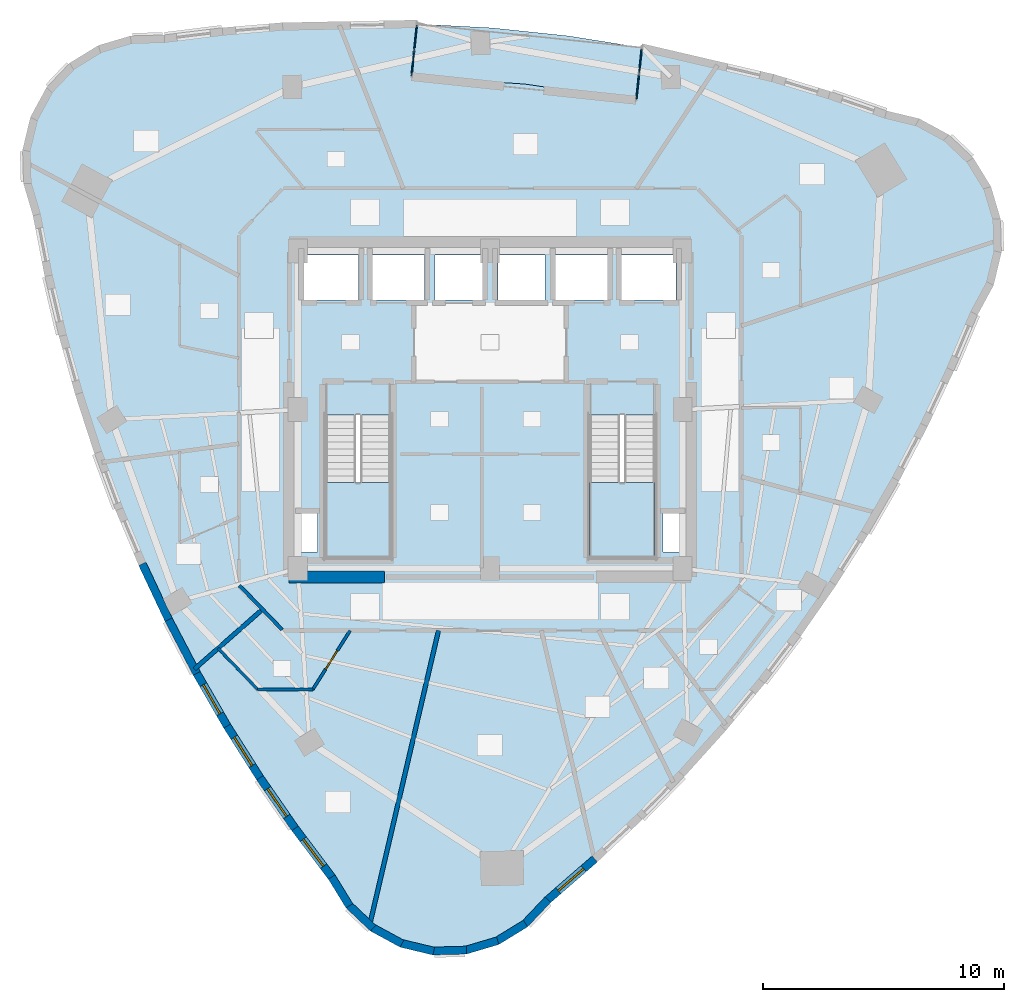
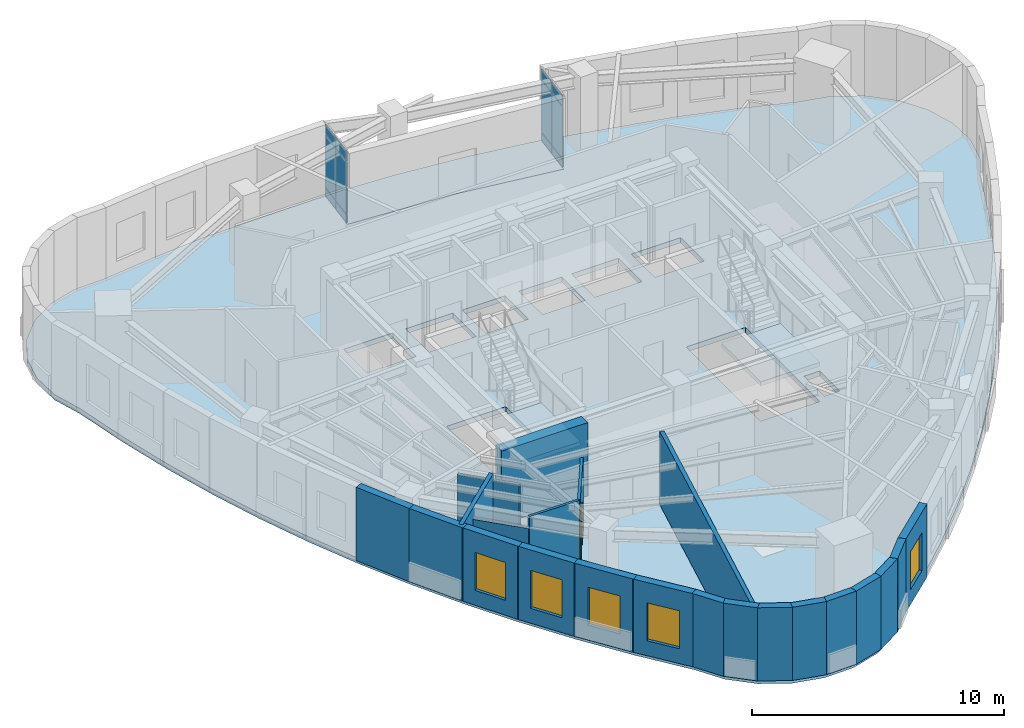
# One storey, part 4 of 11: 22 walls, 12 plates, 5 windows, 4 slabs, 1 door, 6 openings, 4 elements without a shape of their own.
"""IFC4 building model written with IfcOpenShell, lengths in metres."""

import ifcopenshell
import ifcopenshell.guid

model = None  # the IFC model being written
_history = None  # IfcOwnerHistory: only IFC2X3 demands one
_inside = {}  # id of a spatial element -> (the spatial element, [elements in it])
_under = {}  # id of a project, library or spatial element -> (it, [spatial elements below it])
_declared = {}  # id of a project -> (the project, [libraries it declares])
_typed = {}  # id of a type object -> (the type object, [elements of that type])
_made_of = {}  # id of a material, layer set ... -> (it, [elements and type objects made of it])


def new_model(schema):
    """Start an empty IFC model of exactly this schema.

    Asked for "IFC4X3", IfcOpenShell would pick the latest addendum, in which some entities
    have other attributes; the version numbers below select the first issue.
    IFC2X3 requires an IfcOwnerHistory on every rooted entity: one is made here for all.
    """
    global model, _history
    if schema == "IFC4X3":
        model = ifcopenshell.file(schema_version=(4, 3, 0, 0))
    else:
        model = ifcopenshell.file(schema=schema)
    _inside.clear()
    _under.clear()
    _declared.clear()
    _typed.clear()
    _made_of.clear()
    _history = None
    if model.schema == "IFC2X3":
        org = make("IfcOrganization", Name="unknown")
        user = make(
            "IfcPersonAndOrganization",
            ThePerson=make("IfcPerson", FamilyName="unknown"),
            TheOrganization=org,
        )
        app = make(
            "IfcApplication",
            ApplicationDeveloper=org,
            Version="unknown",
            ApplicationFullName="unknown",
            ApplicationIdentifier="unknown",
        )
        _history = make(
            "IfcOwnerHistory",
            OwningUser=user,
            OwningApplication=app,
            ChangeAction="ADDED",
            CreationDate=0,
        )
    return model


def make(cls, **values):
    """One entity of the class cls with the attributes given. An attribute that is None is left unset."""
    return model.create_entity(
        cls, **{name: value for name, value in values.items() if value is not None}
    )


def rooted(cls, **values):
    """An entity with a GlobalId (a new one), such as an element, a storey or a relation."""
    return make(cls, GlobalId=ifcopenshell.guid.new(), OwnerHistory=_history, **values)


def si_unit(unit_type, name, prefix=None):
    """IfcSIUnit, for example si_unit("LENGTHUNIT", "METRE", prefix="MILLI")."""
    return make("IfcSIUnit", UnitType=unit_type, Prefix=prefix, Name=name)


def assignment(units):
    """IfcUnitAssignment: the units of a project."""
    return None if units is None else make("IfcUnitAssignment", Units=units)


def point(xyz):
    """IfcCartesianPoint."""
    return None if xyz is None else make("IfcCartesianPoint", Coordinates=xyz)


def direction(xyz):
    """IfcDirection."""
    return None if xyz is None else make("IfcDirection", DirectionRatios=xyz)


def frame(location, z_axis=None, x_axis=None):
    """IfcAxis2Placement3D, a coordinate frame: its origin and axes. An axis left out is left unset."""
    return make(
        "IfcAxis2Placement3D",
        Location=point(location),
        Axis=direction(z_axis),
        RefDirection=direction(x_axis),
    )


def frame_2d(location, x_axis=None):
    """IfcAxis2Placement2D, a coordinate frame in the plane: its origin and x axis."""
    return make(
        "IfcAxis2Placement2D", Location=point(location), RefDirection=direction(x_axis)
    )


def origin():
    """The frame at (0, 0, 0) with its axes left unset."""
    return frame((0.0, 0.0, 0.0))


def origin_2d():
    """The frame at (0, 0) in the plane with its x axis left unset."""
    return frame_2d((0.0, 0.0))


def place(relative_to, where):
    """IfcLocalPlacement: puts the frame where relative to a parent placement (None: the world)."""
    return make(
        "IfcLocalPlacement", PlacementRelTo=relative_to, RelativePlacement=where
    )


def context(
    kind, dimensions, precision=None, world=None, true_north=None, identifier=None
):
    """IfcGeometricRepresentationContext, for example the 3D "Model" context."""
    return make(
        "IfcGeometricRepresentationContext",
        ContextIdentifier=identifier,
        ContextType=kind,
        CoordinateSpaceDimension=dimensions,
        Precision=precision,
        WorldCoordinateSystem=world,
        TrueNorth=true_north,
    )


def subcontext(parent, identifier, kind, view, scale=None):
    """IfcGeometricRepresentationSubContext, for example "Body" below "Model"."""
    return make(
        "IfcGeometricRepresentationSubContext",
        ContextIdentifier=identifier,
        ContextType=kind,
        ParentContext=parent,
        TargetScale=scale,
        TargetView=view,
    )


def project(units=None, contexts=None):
    """IfcProject with its units and contexts."""
    return rooted(
        "IfcProject",
        Name="project",
        RepresentationContexts=contexts,
        UnitsInContext=assignment(units),
    )


def spatial(cls, under=None, at=None, **own):
    """A site, building, storey or space (cls), placed at a placement, below another one or the project."""
    s = rooted(cls, ObjectPlacement=at, **own)
    if under is not None:
        _under.setdefault(under.id(), (under, []))[1].append(s)
    return s


def polyline(points):
    """IfcPolyline through the points."""
    return make("IfcPolyline", Points=[point(p) for p in points])


def profile(cls, at=None, kind="AREA", **sizes):
    """A parametric profile (cls). Its sizes go by their IFC names, for example OverallWidth=200.0."""
    return make(cls, ProfileType=kind, Position=at, **sizes)


def rectangle(**sizes):
    """IfcRectangleProfileDef."""
    return profile("IfcRectangleProfileDef", **sizes)


def outline(outer, holes=None, kind="AREA"):
    """IfcArbitraryClosedProfileDef: a profile drawn as a closed curve; with holes, ...WithVoids."""
    if holes is None:
        return make("IfcArbitraryClosedProfileDef", ProfileType=kind, OuterCurve=outer)
    return make(
        "IfcArbitraryProfileDefWithVoids",
        ProfileType=kind,
        OuterCurve=outer,
        InnerCurves=holes,
    )


def extrude(swept, where, along, depth):
    """IfcExtrudedAreaSolid: the profile swept, set in the frame where, extruded along a direction by depth."""
    return make(
        "IfcExtrudedAreaSolid",
        SweptArea=swept,
        Position=where,
        ExtrudedDirection=direction(along),
        Depth=depth,
    )


def shape(context_of_items, identifier, shape_type, items):
    """IfcShapeRepresentation: the items that make up one representation, for example the "Body"."""
    return make(
        "IfcShapeRepresentation",
        ContextOfItems=context_of_items,
        RepresentationIdentifier=identifier,
        RepresentationType=shape_type,
        Items=items,
    )


def material(Name=None, Category=None):
    """IfcMaterial."""
    return make("IfcMaterial", Name=Name, Category=Category)


def layer(
    of_material, thickness, ventilated=None, Name=None, Category=None, Priority=None
):
    """IfcMaterialLayer: one layer of a wall or slab, of a material (None: an air gap)."""
    return make(
        "IfcMaterialLayer",
        Material=of_material,
        LayerThickness=thickness,
        IsVentilated=ventilated,
        Name=Name,
        Category=Category,
        Priority=Priority,
    )


def layer_set(layers, Name=None):
    """IfcMaterialLayerSet."""
    return make("IfcMaterialLayerSet", MaterialLayers=layers, LayerSetName=Name)


def made_of(thing, what):
    """Note that an element or type object is made of a material, layer set ...; save() writes the relation."""
    if what is not None:
        _made_of.setdefault(what.id(), (what, []))[1].append(thing)
    return thing


def type_object(cls, material=None, **own):
    """A type object (cls), such as IfcWallType, which elements share."""
    return made_of(rooted(cls, **own), material)


def element(
    cls,
    number,
    at=None,
    inside=None,
    cuts=None,
    type_object=None,
    material=None,
    context=None,
    identifier="Body",
    shape_type=None,
    held_by="IfcProductDefinitionShape",
    body=None,
    shapes=None,
    **own,
):
    """One element of the class cls, such as IfcWall. Its Tag is "e" and its number.

    at: its placement. inside: the storey or other place that contains it. cuts: it is an
    opening in that element (IfcRelVoidsElement). A single representation is given by context,
    identifier, shape_type and body (its items); several are given by shapes. held_by: the class
    of the entity that holds the representations. save() writes the other relations.
    """
    e = rooted(cls, Tag="e%d" % number, ObjectPlacement=at, **own)
    if body is not None:
        shapes = [shape(context, identifier, shape_type, body)]
    if shapes is not None:
        e.Representation = make(held_by, Representations=shapes)
    if inside is not None:
        _inside.setdefault(inside.id(), (inside, []))[1].append(e)
    if cuts is not None:
        rooted(
            "IfcRelVoidsElement", RelatingBuildingElement=cuts, RelatedOpeningElement=e
        )
    if type_object is not None:
        _typed.setdefault(type_object.id(), (type_object, []))[1].append(e)
    return made_of(e, material)


def fill(opening, filler):
    """IfcRelFillsElement: the door or window that sits in an opening."""
    return rooted(
        "IfcRelFillsElement",
        RelatingOpeningElement=opening,
        RelatedBuildingElement=filler,
    )


def aggregate(whole, parts):
    """IfcRelAggregates: a whole, such as a stair, and the parts it consists of."""
    return rooted("IfcRelAggregates", RelatingObject=whole, RelatedObjects=parts)


def save(model, path):
    """Write the relations noted so far, then the file.

    IfcRelAggregates (storeys below a building ...), IfcRelContainedInSpatialStructure (elements
    in a storey), IfcRelDefinesByType, IfcRelAssociatesMaterial and IfcRelDeclares: one each for
    every whole, place, type object, material and project.
    """
    for whole, parts in _under.values():
        aggregate(whole, parts)
    for where, things in _inside.values():
        rooted(
            "IfcRelContainedInSpatialStructure",
            RelatedElements=things,
            RelatingStructure=where,
        )
    for kind, things in _typed.values():
        rooted("IfcRelDefinesByType", RelatedObjects=things, RelatingType=kind)
    for what, things in _made_of.values():
        rooted("IfcRelAssociatesMaterial", RelatedObjects=things, RelatingMaterial=what)
    for by, libraries in _declared.values():
        rooted("IfcRelDeclares", RelatingContext=by, RelatedDefinitions=libraries)
    model.write(path)


model = new_model("IFC4")

# Units and contexts
model_context = context("Model", 3, precision=1e-05, world=origin(), true_north=direction((0.0, 1.0)))
body_context = subcontext(model_context, "Body", "Model", "MODEL_VIEW")
ifc_project = project(units=[si_unit("LENGTHUNIT", "METRE"), si_unit("AREAUNIT", "SQUARE_METRE"), si_unit("VOLUMEUNIT", "CUBIC_METRE"), si_unit("PLANEANGLEUNIT", "RADIAN"), si_unit("MASSUNIT", "GRAM", prefix="KILO")], contexts=[model_context])

# Site, building, storey
site_placement = place(None, origin())
site = spatial("IfcSite", under=ifc_project, at=site_placement, CompositionType="ELEMENT")
building_placement = place(site_placement, origin())
building = spatial("IfcBuilding", under=site, at=building_placement, Name="Ndelora Gate Hotel", CompositionType="ELEMENT")
storey_placement = place(building_placement, frame((0.0, 0.0, 186.550048828125)))
storey = spatial("IfcBuildingStorey", under=building, at=storey_placement, Name="L46", CompositionType="ELEMENT", Elevation=186.550048828125)

# Curtain wall, plates
ifc_material_1 = material(Name="Bronze Anodised Unitised Aluminium and Low-E Glass", Category="aluminium")
ifc_layer_1 = layer(ifc_material_1, 0.199951171875)
ifc_layer_set_1 = layer_set([ifc_layer_1], Name="Bronze Anodised Unitised Aluminium and Low-E Glass")
curtain_wall_type = type_object("IfcCurtainWallType", Name="CW-SYS-3", PredefinedType="NOTDEFINED", material=ifc_layer_set_1)
curtain_wall_1_placement = place(storey_placement, origin())
curtain_wall_1 = element("IfcCurtainWall", 1, at=curtain_wall_1_placement, inside=storey, type_object=curtain_wall_type, Name="L46 Sky-Garden Loggia Side Curtain Wall CW3-1", PredefinedType="NOTDEFINED")
ifc_material_2 = material(Name="Solar-Control Low-E Insulated Glazing", Category="glass")
ifc_layer_2 = layer(ifc_material_2, 0.048095703125)
ifc_layer_set_2 = layer_set([ifc_layer_2], Name="Solar-Control Low-E Insulated Glazing")
plate_type = type_object("IfcPlateType", Name="PL-CW-GLZ36", PredefinedType="CURTAIN_PANEL", material=ifc_layer_set_2)
plate_1_placement = place(storey_placement, frame((6.13720703125, 13.42822265625, 0.05908203125), z_axis=(0.0, 0.0, 1.0), x_axis=(0.104497862459, 0.994525111167, 0.0)))
plate_1 = element("IfcPlate", 2, at=plate_1_placement, type_object=plate_type, Name="CW3 panel 1.1", PredefinedType="CURTAIN_PANEL", context=body_context, shape_type="SweptSolid", body=[
    extrude(rectangle(XDim=1.014404296875, YDim=0.048095703125, at=origin_2d()), origin(), (0.0, 0.0, 1.0), 0.364501953125),
])
plate_2_placement = place(storey_placement, frame((6.13720703125, 13.42822265625, 0.476318359375), z_axis=(0.0, 0.0, 1.0), x_axis=(0.104497862459, 0.994525111167, 0.0)))
plate_2 = element("IfcPlate", 3, at=plate_2_placement, type_object=plate_type, Name="CW3 panel 1.2", PredefinedType="CURTAIN_PANEL", context=body_context, shape_type="SweptSolid", body=[
    extrude(rectangle(XDim=1.014404296875, YDim=0.048095703125, at=origin_2d()), origin(), (0.0, 0.0, 1.0), 2.4970703125),
])
plate_3_placement = place(storey_placement, frame((6.13720703125, 13.42822265625, 3.0263671875), z_axis=(0.0, 0.0, 1.0), x_axis=(0.104497862459, 0.994525111167, 0.0)))
plate_3 = element("IfcPlate", 4, at=plate_3_placement, type_object=plate_type, Name="CW3 panel 1.3", PredefinedType="CURTAIN_PANEL", context=body_context, shape_type="SweptSolid", body=[
    extrude(rectangle(XDim=1.014404296875, YDim=0.048095703125, at=origin_2d()), origin(), (0.0, 0.0, 1.0), 0.464599609375),
])
plate_4_placement = place(storey_placement, frame((6.248779296875, 14.48974609375, 0.05908203125), z_axis=(0.0, 0.0, 1.0), x_axis=(0.104497862459, 0.994525111167, 0.0)))
plate_4 = element("IfcPlate", 5, at=plate_4_placement, type_object=plate_type, Name="CW3 panel 2.1", PredefinedType="CURTAIN_PANEL", context=body_context, shape_type="SweptSolid", body=[
    extrude(rectangle(XDim=1.014404296875, YDim=0.048095703125, at=origin_2d()), origin(), (0.0, 0.0, 1.0), 0.364501953125),
])
plate_5_placement = place(storey_placement, frame((6.248779296875, 14.48974609375, 0.476318359375), z_axis=(0.0, 0.0, 1.0), x_axis=(0.104497862459, 0.994525111167, 0.0)))
plate_5 = element("IfcPlate", 6, at=plate_5_placement, type_object=plate_type, Name="CW3 panel 2.2", PredefinedType="CURTAIN_PANEL", context=body_context, shape_type="SweptSolid", body=[
    extrude(rectangle(XDim=1.014404296875, YDim=0.048095703125, at=origin_2d()), origin(), (0.0, 0.0, 1.0), 2.4970703125),
])
plate_6_placement = place(storey_placement, frame((6.248779296875, 14.48974609375, 3.0263671875), z_axis=(0.0, 0.0, 1.0), x_axis=(0.104497862459, 0.994525111167, 0.0)))
plate_6 = element("IfcPlate", 7, at=plate_6_placement, type_object=plate_type, Name="CW3 panel 2.3", PredefinedType="CURTAIN_PANEL", context=body_context, shape_type="SweptSolid", body=[
    extrude(rectangle(XDim=1.014404296875, YDim=0.048095703125, at=origin_2d()), origin(), (0.0, 0.0, 1.0), 0.464599609375),
])
aggregate(curtain_wall_1, [plate_1, plate_2, plate_3, plate_4, plate_5, plate_6])

curtain_wall_2_placement = place(storey_placement, origin())
curtain_wall_2 = element("IfcCurtainWall", 8, at=curtain_wall_2_placement, inside=storey, type_object=curtain_wall_type, Name="L46 Sky-Garden Loggia Side Curtain Wall CW3-2", PredefinedType="NOTDEFINED")
plate_7_placement = place(storey_placement, frame((-3.099609375, 15.472412109375, 0.05908203125), z_axis=(0.0, 0.0, 1.0), x_axis=(-0.104497862459, -0.994525111167, 0.0)))
plate_7 = element("IfcPlate", 9, at=plate_7_placement, type_object=plate_type, Name="CW3 panel 1.1", PredefinedType="CURTAIN_PANEL", context=body_context, shape_type="SweptSolid", body=[
    extrude(rectangle(XDim=1.014404296875, YDim=0.048095703125, at=origin_2d()), origin(), (0.0, 0.0, 1.0), 0.364501953125),
])
plate_8_placement = place(storey_placement, frame((-3.099609375, 15.472412109375, 0.476318359375), z_axis=(0.0, 0.0, 1.0), x_axis=(-0.104497862459, -0.994525111167, 0.0)))
plate_8 = element("IfcPlate", 10, at=plate_8_placement, type_object=plate_type, Name="CW3 panel 1.2", PredefinedType="CURTAIN_PANEL", context=body_context, shape_type="SweptSolid", body=[
    extrude(rectangle(XDim=1.014404296875, YDim=0.048095703125, at=origin_2d()), origin(), (0.0, 0.0, 1.0), 2.4970703125),
])
plate_9_placement = place(storey_placement, frame((-3.099609375, 15.472412109375, 3.0263671875), z_axis=(0.0, 0.0, 1.0), x_axis=(-0.104497862459, -0.994525111167, 0.0)))
plate_9 = element("IfcPlate", 11, at=plate_9_placement, type_object=plate_type, Name="CW3 panel 1.3", PredefinedType="CURTAIN_PANEL", context=body_context, shape_type="SweptSolid", body=[
    extrude(rectangle(XDim=1.014404296875, YDim=0.048095703125, at=origin_2d()), origin(), (0.0, 0.0, 1.0), 0.464599609375),
])
plate_10_placement = place(storey_placement, frame((-3.211181640625, 14.41064453125, 0.05908203125), z_axis=(0.0, 0.0, 1.0), x_axis=(-0.104497862459, -0.994525111167, 0.0)))
plate_10 = element("IfcPlate", 12, at=plate_10_placement, type_object=plate_type, Name="CW3 panel 2.1", PredefinedType="CURTAIN_PANEL", context=body_context, shape_type="SweptSolid", body=[
    extrude(rectangle(XDim=1.014404296875, YDim=0.048095703125, at=origin_2d()), origin(), (0.0, 0.0, 1.0), 0.364501953125),
])
plate_11_placement = place(storey_placement, frame((-3.211181640625, 14.41064453125, 0.476318359375), z_axis=(0.0, 0.0, 1.0), x_axis=(-0.104497862459, -0.994525111167, 0.0)))
plate_11 = element("IfcPlate", 13, at=plate_11_placement, type_object=plate_type, Name="CW3 panel 2.2", PredefinedType="CURTAIN_PANEL", context=body_context, shape_type="SweptSolid", body=[
    extrude(rectangle(XDim=1.014404296875, YDim=0.048095703125, at=origin_2d()), origin(), (0.0, 0.0, 1.0), 2.4970703125),
])
plate_12_placement = place(storey_placement, frame((-3.211181640625, 14.41064453125, 3.0263671875), z_axis=(0.0, 0.0, 1.0), x_axis=(-0.104497862459, -0.994525111167, 0.0)))
plate_12 = element("IfcPlate", 14, at=plate_12_placement, type_object=plate_type, Name="CW3 panel 2.3", PredefinedType="CURTAIN_PANEL", context=body_context, shape_type="SweptSolid", body=[
    extrude(rectangle(XDim=1.014404296875, YDim=0.048095703125, at=origin_2d()), origin(), (0.0, 0.0, 1.0), 0.464599609375),
])
aggregate(curtain_wall_2, [plate_7, plate_8, plate_9, plate_10, plate_11, plate_12])

# Stair, slab
ifc_material_3 = material(Name="Precast concrete C40/50", Category="concrete")
stair_type = type_object("IfcStairType", Name="STR-DOG-CORE", PredefinedType="HALF_TURN_STAIR", material=ifc_material_3)
stair_1_placement = place(storey_placement, origin())
stair_1 = element("IfcStair", 15, at=stair_1_placement, inside=storey, type_object=stair_type, Name="L46 Protected Core Exit Stair ST4", PredefinedType="HALF_TURN_STAIR")
ifc_layer_3 = layer(ifc_material_3, 0.219970703125)
ifc_layer_set_3 = layer_set([ifc_layer_3], Name="Precast concrete C40/50")
slab_type_1 = type_object("IfcSlabType", Name="SL-LAND-220", PredefinedType="LANDING", material=ifc_layer_set_3)
slab_1_placement = place(storey_placement, frame((0.0, 0.0, 1.699951171875)))
slab_1 = element("IfcSlab", 16, at=slab_1_placement, type_object=slab_type_1, Name="ST4 landing 1", PredefinedType="LANDING", context=body_context, shape_type="SweptSolid", body=[
    extrude(outline(polyline([(-6.85009765625, -3.030029296875), (-6.85009765625, -6.14990234375), (-4.1298828125, -6.14990234375), (-4.1298828125, -3.030029296875), (-6.85009765625, -3.030029296875)])), origin(), (0.0, 0.0, 1.0), 0.199951171875),
])
aggregate(stair_1, [slab_1])

stair_2_placement = place(storey_placement, origin())
stair_2 = element("IfcStair", 17, at=stair_2_placement, inside=storey, type_object=stair_type, Name="L46 Protected Core Exit Stair ST5", PredefinedType="HALF_TURN_STAIR")
slab_2_placement = place(storey_placement, frame((0.0, 0.0, 1.699951171875)))
slab_2 = element("IfcSlab", 18, at=slab_2_placement, type_object=slab_type_1, Name="ST5 landing 1", PredefinedType="LANDING", context=body_context, shape_type="SweptSolid", body=[
    extrude(outline(polyline([(4.1298828125, -3.030029296875), (4.1298828125, -6.14990234375), (6.85009765625, -6.14990234375), (6.85009765625, -3.030029296875), (4.1298828125, -3.030029296875)])), origin(), (0.0, 0.0, 1.0), 0.199951171875),
])
aggregate(stair_2, [slab_2])

# Slabs
ifc_layer_4 = layer(ifc_material_3, 0.239990234375)
ifc_layer_set_4 = layer_set([ifc_layer_4], Name="Precast concrete C40/50")
slab_type_2 = type_object("IfcSlabType", Name="SL-TER-240", PredefinedType="FLOOR", material=ifc_layer_set_4)
slab_3_placement = place(storey_placement, frame((0.0, 0.0, -0.239990234375)))
element("IfcSlab", 19, at=slab_3_placement, inside=storey, type_object=slab_type_2, Name="L46 Sky Garden Loggia Terrace Slab", PredefinedType="FLOOR", context=body_context, shape_type="SweptSolid", body=[
    extrude(outline(polyline([(6.078125, 12.864990234375), (6.30810546875, 15.052978515625), (3.239990234375, 15.539306640625), (0.0615234375, 15.873291015625), (-3.04052734375, 16.03564453125), (-3.2705078125, 13.84765625), (1.423095703125, 13.53955078125), (6.078125, 12.864990234375)])), origin(), (0.0, 0.0, 1.0), 0.239990234375),
])
ifc_material_4 = material(Name="Concrete C40/50", Category="concrete")
ifc_layer_5 = layer(ifc_material_4, 0.25)
ifc_layer_set_5 = layer_set([ifc_layer_5], Name="Concrete C40/50")
slab_type_3 = type_object("IfcSlabType", Name="SL-TWR-250", PredefinedType="FLOOR", material=ifc_layer_set_5)
slab_4_placement = place(storey_placement, frame((0.0, 0.0, -0.25)))
element("IfcSlab", 20, at=slab_4_placement, inside=storey, type_object=slab_type_3, Name="L46 Structural Floor Slab", PredefinedType="FLOOR", context=body_context, shape_type="SweptSolid", body=[
    extrude(outline(polyline([(-13.55615234375, 15.41552734375), (-14.9130859375, 15.380126953125), (-16.21484375, 14.994384765625), (-17.372314453125, 14.28515625), (-18.306640625, 13.300537109375), (-18.954345703125, 12.107666015625), (-19.271240234375, 10.78759765625), (-19.23583984375, 9.4306640625), (-18.85009765625, 8.129150390625), (-18.357421875, 5.5947265625), (-17.768310546875, 3.103515625), (-17.08251953125, 0.6552734375), (-16.30029296875, -1.750244140625), (-15.421875, -4.112548828125), (-14.447021484375, -6.43212890625), (-13.37548828125, -8.708740234375), (-12.207763671875, -10.9423828125), (-10.943603515625, -13.13330078125), (-9.582763671875, -15.281005859375), (-8.125732421875, -17.385986328125), (-6.572265625, -19.44775390625), (-5.86279296875, -20.605224609375), (-4.878173828125, -21.539794921875), (-3.685302734375, -22.1875), (-2.365234375, -22.50439453125), (-1.00830078125, -22.46875), (0.293212890625, -22.083251953125), (1.45068359375, -21.3740234375), (2.385009765625, -20.389404296875), (4.33349609375, -18.6953125), (6.1962890625, -16.939453125), (7.973876953125, -15.12158203125), (9.666015625, -13.241455078125), (11.272705078125, -11.29931640625), (12.7939453125, -9.29541015625), (14.229736328125, -7.229248046875), (15.580322265625, -5.10107421875), (16.845458984375, -2.91064453125), (18.025146484375, -0.658447265625), (19.119384765625, 1.656005859375), (20.12841796875, 4.0322265625), (20.776123046875, 5.22509765625), (21.093017578125, 6.545166015625), (21.0576171875, 7.902099609375), (20.672119140625, 9.203857421875), (19.962646484375, 10.361083984375), (18.97802734375, 11.295654296875), (17.784912109375, 11.943359375), (16.465087890625, 12.26025390625), (14.121826171875, 13.069091796875), (11.768310546875, 13.781005859375), (6.30810546875, 15.052978515625), (6.078125, 12.864990234375), (1.423095703125, 13.53955078125), (-3.2705078125, 13.84765625), (-3.04052734375, 16.03564453125), (-8.64599609375, 15.926513671875), (-11.09619140625, 15.719482421875), (-13.55615234375, 15.41552734375)]), holes=[polyline([(-6.85009765625, -0.22998046875), (-6.85009765625, -6.14990234375), (-4.1298828125, -6.14990234375), (-4.1298828125, -0.22998046875), (-6.85009765625, -0.22998046875)]), polyline([(4.1298828125, -0.22998046875), (4.1298828125, -6.14990234375), (6.85009765625, -6.14990234375), (6.85009765625, -0.22998046875), (4.1298828125, -0.22998046875)]), polyline([(-7.72998046875, 4.570068359375), (-5.469970703125, 4.570068359375), (-5.469970703125, 6.429931640625), (-7.72998046875, 6.429931640625), (-7.72998046875, 4.570068359375)]), polyline([(5.469970703125, 4.570068359375), (7.72998046875, 4.570068359375), (7.72998046875, 6.429931640625), (5.469970703125, 6.429931640625), (5.469970703125, 4.570068359375)]), polyline([(-4.8798828125, 4.570068359375), (-2.719970703125, 4.570068359375), (-2.719970703125, 6.429931640625), (-4.8798828125, 6.429931640625), (-4.8798828125, 4.570068359375)]), polyline([(2.719970703125, 4.570068359375), (4.8798828125, 4.570068359375), (4.8798828125, 6.429931640625), (2.719970703125, 6.429931640625), (2.719970703125, 4.570068359375)]), polyline([(-2.280029296875, 4.570068359375), (-0.320068359375, 4.570068359375), (-0.320068359375, 6.429931640625), (-2.280029296875, 6.429931640625), (-2.280029296875, 4.570068359375)]), polyline([(0.320068359375, 4.570068359375), (2.280029296875, 4.570068359375), (2.280029296875, 6.429931640625), (0.320068359375, 6.429931640625), (0.320068359375, 4.570068359375)]), polyline([(-7.89990234375, -5.919921875), (-7.179931640625, -5.919921875), (-7.179931640625, -4.320068359375), (-7.89990234375, -4.320068359375), (-7.89990234375, -5.919921875)]), polyline([(7.179931640625, -5.919921875), (7.89990234375, -5.919921875), (7.89990234375, -4.320068359375), (7.179931640625, -4.320068359375), (7.179931640625, -5.919921875)])]), origin(), (0.0, 0.0, 1.0), 0.25),
])

# Walls
ifc_material_5 = material(Name="Acoustic Double-Stud Gypsum Assembly", Category="gypsum")
ifc_layer_6 = layer(ifc_material_5, 0.179931640625)
ifc_layer_set_6 = layer_set([ifc_layer_6], Name="Acoustic Double-Stud Gypsum Assembly")
wall_type_1 = type_object("IfcWallType", Name="WL-ACOUST-180", PredefinedType="PARTITIONING", material=ifc_layer_set_6)
wall_1_placement = place(storey_placement, frame((-9.464111328125, -8.3037109375, 0.0), z_axis=(0.0, 0.0, 1.0), x_axis=(-0.751699255643, -0.659506049302, 0.0)))
element("IfcWall", 21, at=wall_1_placement, inside=storey, type_object=wall_type_1, Name="L46 Interior Wall IW-3", PredefinedType="PARTITIONING", context=body_context, shape_type="SweptSolid", body=[
    extrude(rectangle(XDim=3.76025390625, YDim=0.179931640625, at=frame_2d((1.880126953125, 0.0))), origin(), (0.0, 0.0, 1.0), 3.550048828125),
])
wall_2_placement = place(storey_placement, frame((-2.14501953125, -9.179931640625, 0.0), z_axis=(0.0, 0.0, 1.0), x_axis=(-0.22755258656, -0.973765793376, 0.0)))
element("IfcWall", 22, at=wall_2_placement, inside=storey, type_object=wall_type_1, Name="L46 Interior Wall IW-3", PredefinedType="PARTITIONING", context=body_context, shape_type="SweptSolid", body=[
    extrude(rectangle(XDim=12.569091796875, YDim=0.179931640625, at=frame_2d((6.28466796875, 0.0))), origin(), (0.0, 0.0, 1.0), 3.550048828125),
])
ifc_material_6 = material(Name="Clay Brick Masonry", Category="masonry")
ifc_layer_7 = layer(ifc_material_6, 0.330078125)
ifc_layer_set_7 = layer_set([ifc_layer_7], Name="Clay Brick Masonry")
wall_type_2 = type_object("IfcWallType", Name="WL-BRICK-330", PredefinedType="SOLIDWALL", material=ifc_layer_set_7)
wall_3_placement = place(storey_placement, frame((-13.364990234375, -8.7314453125, 0.0), z_axis=(0.0, 0.0, 1.0), x_axis=(-0.425774125911, 0.90482948322, 0.0)))
element("IfcWall", 23, at=wall_3_placement, inside=storey, type_object=wall_type_2, Name="L46 Tower Brick Pier-and-Spandrel Wall TWR-15", PredefinedType="SOLIDWALL", context=body_context, shape_type="SweptSolid", body=[
    extrude(rectangle(XDim=2.56591796875, YDim=0.330078125, at=frame_2d((1.282958984375, 0.0))), origin(), (0.0, 0.0, 1.0), 3.550048828125),
])
wall_4_placement = place(storey_placement, frame((-12.196044921875, -10.964599609375, 0.0), z_axis=(0.0, 0.0, 1.0), x_axis=(-0.463361004434, 0.886169611062, 0.0)))
element("IfcWall", 24, at=wall_4_placement, inside=storey, type_object=wall_type_2, Name="L46 Tower Brick Pier-and-Spandrel Wall TWR-16", PredefinedType="SOLIDWALL", context=body_context, shape_type="SweptSolid", body=[
    extrude(rectangle(XDim=2.57080078125, YDim=0.330078125, at=frame_2d((1.285400390625, 0.0))), origin(), (0.0, 0.0, 1.0), 3.550048828125),
])

# Wall, opening, window
wall_5_placement = place(storey_placement, frame((-10.930908203125, -13.15478515625, 0.0), z_axis=(0.0, 0.0, 1.0), x_axis=(-0.499875407217, 0.866097325513, 0.0)))
wall_5 = element("IfcWall", 25, at=wall_5_placement, inside=storey, type_object=wall_type_2, Name="L46 Tower Brick Pier-and-Spandrel Wall TWR-17", PredefinedType="SOLIDWALL", context=body_context, shape_type="SweptSolid", body=[
    extrude(rectangle(XDim=2.579345703125, YDim=0.330078125, at=frame_2d((1.28955078125, 0.0))), origin(), (0.0, 0.0, 1.0), 3.550048828125),
])
opening_1_placement = place(wall_5_placement, frame((0.589599609375, 0.0, 0.719970703125)))
opening_1 = element("IfcOpeningElement", 26, at=opening_1_placement, cuts=wall_5, Name="Opening W02", PredefinedType="OPENING", context=body_context, shape_type="SweptSolid", body=[
    extrude(rectangle(XDim=1.39990234375, YDim=1.840087890625, at=frame_2d((0.699951171875, 0.919921875))), frame((0.0, 0.175048828125, 0.0), z_axis=(0.0, -1.0, 0.0), x_axis=(1.0, 0.0, 0.0)), (0.0, 0.0, 1.0), 0.35009765625),
])
ifc_material_7 = material(Name="Insulated Low-E Double Glazing in Bronze Aluminium Frame", Category="aluminium")
window_type = type_object("IfcWindowType", Name="WN-DEEP-1400", PartitioningType="SINGLE_PANEL", PredefinedType="WINDOW", material=ifc_material_7)
window_1_placement = place(opening_1_placement, origin())
window_1 = element("IfcWindow", 27, at=window_1_placement, inside=storey, type_object=window_type, Name="L46 Deep-Set Brick-Pier Window W02", OverallHeight=1.840087890625, OverallWidth=1.39990234375, PartitioningType="SINGLE_PANEL", PredefinedType="WINDOW", context=body_context, shape_type="SweptSolid", body=[
    extrude(rectangle(XDim=1.39990234375, YDim=1.840087890625, at=frame_2d((0.699951171875, 0.919921875))), frame((0.0, 0.030029296875, 0.0), z_axis=(0.0, -1.0, 0.0), x_axis=(1.0, 0.0, 0.0)), (0.0, 0.0, 1.0), 0.06005859375),
])
fill(opening_1, window_1)

wall_6_placement = place(storey_placement, frame((-9.5693359375, -15.302001953125, 0.0), z_axis=(0.0, 0.0, 1.0), x_axis=(-0.535186500918, 0.844733928072, 0.0)))
wall_6 = element("IfcWall", 28, at=wall_6_placement, inside=storey, type_object=wall_type_2, Name="L46 Tower Brick Pier-and-Spandrel Wall TWR-18", PredefinedType="SOLIDWALL", context=body_context, shape_type="SweptSolid", body=[
    extrude(rectangle(XDim=2.592529296875, YDim=0.330078125, at=frame_2d((1.29638671875, 0.0))), origin(), (0.0, 0.0, 1.0), 3.550048828125),
])
opening_2_placement = place(wall_6_placement, frame((0.59619140625, 0.0, 0.719970703125)))
opening_2 = element("IfcOpeningElement", 29, at=opening_2_placement, cuts=wall_6, Name="Opening W02", PredefinedType="OPENING", context=body_context, shape_type="SweptSolid", body=[
    extrude(rectangle(XDim=1.39990234375, YDim=1.840087890625, at=frame_2d((0.699951171875, 0.919921875))), frame((0.0, 0.175048828125, 0.0), z_axis=(0.0, -1.0, 0.0), x_axis=(1.0, 0.0, 0.0)), (0.0, 0.0, 1.0), 0.35009765625),
])
window_2_placement = place(opening_2_placement, origin())
window_2 = element("IfcWindow", 30, at=window_2_placement, inside=storey, type_object=window_type, Name="L46 Deep-Set Brick-Pier Window W02", OverallHeight=1.840087890625, OverallWidth=1.39990234375, PartitioningType="SINGLE_PANEL", PredefinedType="WINDOW", context=body_context, shape_type="SweptSolid", body=[
    extrude(rectangle(XDim=1.39990234375, YDim=1.840087890625, at=frame_2d((0.699951171875, 0.919921875))), frame((0.0, 0.030029296875, 0.0), z_axis=(0.0, -1.0, 0.0), x_axis=(1.0, 0.0, 0.0)), (0.0, 0.0, 1.0), 0.06005859375),
])
fill(opening_2, window_2)

wall_7_placement = place(storey_placement, frame((-8.111572265625, -17.406494140625, 0.0), z_axis=(0.0, 0.0, 1.0), x_axis=(-0.569122418308, 0.822252803571, 0.0)))
wall_7 = element("IfcWall", 31, at=wall_7_placement, inside=storey, type_object=wall_type_2, Name="L46 Tower Brick Pier-and-Spandrel Wall TWR-19", PredefinedType="SOLIDWALL", context=body_context, shape_type="SweptSolid", body=[
    extrude(rectangle(XDim=2.60986328125, YDim=0.330078125, at=frame_2d((1.304931640625, 0.0))), origin(), (0.0, 0.0, 1.0), 3.550048828125),
])
opening_3_placement = place(wall_7_placement, frame((0.60498046875, 0.0, 0.719970703125)))
opening_3 = element("IfcOpeningElement", 32, at=opening_3_placement, cuts=wall_7, Name="Opening W02", PredefinedType="OPENING", context=body_context, shape_type="SweptSolid", body=[
    extrude(rectangle(XDim=1.39990234375, YDim=1.840087890625, at=frame_2d((0.699951171875, 0.919921875))), frame((0.0, 0.175048828125, 0.0), z_axis=(0.0, -1.0, 0.0), x_axis=(1.0, 0.0, 0.0)), (0.0, 0.0, 1.0), 0.35009765625),
])
window_3_placement = place(opening_3_placement, origin())
window_3 = element("IfcWindow", 33, at=window_3_placement, inside=storey, type_object=window_type, Name="L46 Deep-Set Brick-Pier Window W02", OverallHeight=1.840087890625, OverallWidth=1.39990234375, PartitioningType="SINGLE_PANEL", PredefinedType="WINDOW", context=body_context, shape_type="SweptSolid", body=[
    extrude(rectangle(XDim=1.39990234375, YDim=1.840087890625, at=frame_2d((0.699951171875, 0.919921875))), frame((0.0, 0.030029296875, 0.0), z_axis=(0.0, -1.0, 0.0), x_axis=(1.0, 0.0, 0.0)), (0.0, 0.0, 1.0), 0.06005859375),
])
fill(opening_3, window_3)

wall_8_placement = place(storey_placement, frame((-6.55712890625, -19.4677734375, 0.0), z_axis=(0.0, 0.0, 1.0), x_axis=(-0.601735324528, 0.798695561034, 0.0)))
wall_8 = element("IfcWall", 34, at=wall_8_placement, inside=storey, type_object=wall_type_2, Name="L46 Tower Brick Pier-and-Spandrel Wall TWR-20", PredefinedType="SOLIDWALL", context=body_context, shape_type="SweptSolid", body=[
    extrude(rectangle(XDim=2.631591796875, YDim=0.330078125, at=frame_2d((1.31591796875, 0.0))), origin(), (0.0, 0.0, 1.0), 3.550048828125),
])
opening_4_placement = place(wall_8_placement, frame((0.61572265625, 0.0, 0.719970703125)))
opening_4 = element("IfcOpeningElement", 35, at=opening_4_placement, cuts=wall_8, Name="Opening W02", PredefinedType="OPENING", context=body_context, shape_type="SweptSolid", body=[
    extrude(rectangle(XDim=1.39990234375, YDim=1.840087890625, at=frame_2d((0.699951171875, 0.919921875))), frame((0.0, 0.175048828125, 0.0), z_axis=(0.0, -1.0, 0.0), x_axis=(1.0, 0.0, 0.0)), (0.0, 0.0, 1.0), 0.35009765625),
])
window_4_placement = place(opening_4_placement, origin())
window_4 = element("IfcWindow", 36, at=window_4_placement, inside=storey, type_object=window_type, Name="L46 Deep-Set Brick-Pier Window W02", OverallHeight=1.840087890625, OverallWidth=1.39990234375, PartitioningType="SINGLE_PANEL", PredefinedType="WINDOW", context=body_context, shape_type="SweptSolid", body=[
    extrude(rectangle(XDim=1.39990234375, YDim=1.840087890625, at=frame_2d((0.699951171875, 0.919921875))), frame((0.0, 0.030029296875, 0.0), z_axis=(0.0, -1.0, 0.0), x_axis=(1.0, 0.0, 0.0)), (0.0, 0.0, 1.0), 0.06005859375),
])
fill(opening_4, window_4)

# Walls
for number, where, z_axis, x_axis, name in (
    (37, (-5.849853515625, -20.626708984375, 0.0), (0.0, 0.0, 1.0), (-0.522431898615, 0.852681013809, 0.0), "L46 Tower Brick Pier-and-Spandrel Wall TWR-21"),
    (38, (-4.860107421875, -21.556884765625, 0.0), (0.0, 0.0, 1.0), (-0.725423722687, 0.688302566146, 0.0), "L46 Tower Brick Pier-and-Spandrel Wall TWR-22"),
):
    element("IfcWall", number, at=place(storey_placement, frame(where, z_axis=z_axis, x_axis=x_axis)), inside=storey, type_object=wall_type_2, Name=name, PredefinedType="SOLIDWALL", context=body_context, shape_type="SweptSolid", body=[
        extrude(rectangle(XDim=1.407470703125, YDim=0.330078125, at=frame_2d((0.70361328125, 0.0))), origin(), (0.0, 0.0, 1.0), 3.550048828125),
    ])
wall_9_placement = place(storey_placement, frame((-3.663330078125, -22.19921875, 0.0), z_axis=(0.0, 0.0, 1.0), x_axis=(-0.878861744685, 0.477076549129, 0.0)))
element("IfcWall", 39, at=wall_9_placement, inside=storey, type_object=wall_type_2, Name="L46 Tower Brick Pier-and-Spandrel Wall TWR-23", PredefinedType="SOLIDWALL", context=body_context, shape_type="SweptSolid", body=[
    extrude(rectangle(XDim=1.4072265625, YDim=0.330078125, at=frame_2d((0.70361328125, 0.0))), origin(), (0.0, 0.0, 1.0), 3.550048828125),
])
for number, where, z_axis, x_axis, name in (
    (40, (-2.341064453125, -22.510009765625, 0.0), (0.0, 0.0, 1.0), (-0.972404618844, 0.233300787076, 0.0), "L46 Tower Brick Pier-and-Spandrel Wall TWR-24"),
    (41, (-0.9833984375, -22.468017578125, 0.0), (0.0, 0.0, 1.0), (-0.999656913907, -0.02619264168, 0.0), "L46 Tower Brick Pier-and-Spandrel Wall TWR-25"),
    (42, (0.3173828125, -22.076171875, 0.0), (0.0, 0.0, 1.0), (-0.95884184708, -0.283940684455, 0.0), "L46 Tower Brick Pier-and-Spandrel Wall TWR-26"),
):
    element("IfcWall", number, at=place(storey_placement, frame(where, z_axis=z_axis, x_axis=x_axis)), inside=storey, type_object=wall_type_2, Name=name, PredefinedType="SOLIDWALL", context=body_context, shape_type="SweptSolid", body=[
        extrude(rectangle(XDim=1.407470703125, YDim=0.330078125, at=frame_2d((0.70361328125, 0.0))), origin(), (0.0, 0.0, 1.0), 3.550048828125),
    ])
wall_10_placement = place(storey_placement, frame((1.471923828125, -21.36083984375, 0.0), z_axis=(0.0, 0.0, 1.0), x_axis=(-0.852633662668, -0.522509174355, 0.0)))
element("IfcWall", 43, at=wall_10_placement, inside=storey, type_object=wall_type_2, Name="L46 Tower Brick Pier-and-Spandrel Wall TWR-27", PredefinedType="SOLIDWALL", context=body_context, shape_type="SweptSolid", body=[
    extrude(rectangle(XDim=1.4072265625, YDim=0.330078125, at=frame_2d((0.70361328125, 0.0))), origin(), (0.0, 0.0, 1.0), 3.550048828125),
])
wall_11_placement = place(storey_placement, frame((2.40234375, -20.37109375, 0.0), z_axis=(0.0, 0.0, 1.0), x_axis=(-0.688302566146, -0.725423722687, 0.0)))
element("IfcWall", 44, at=wall_11_placement, inside=storey, type_object=wall_type_2, Name="L46 Tower Brick Pier-and-Spandrel Wall TWR-28", PredefinedType="SOLIDWALL", context=body_context, shape_type="SweptSolid", body=[
    extrude(rectangle(XDim=1.407470703125, YDim=0.330078125, at=frame_2d((0.70361328125, 0.0))), origin(), (0.0, 0.0, 1.0), 3.550048828125),
])

# Wall, opening, window
wall_12_placement = place(storey_placement, frame((4.352294921875, -18.678955078125, 0.0), z_axis=(0.0, 0.0, 1.0), x_axis=(-0.754647459821, -0.656130483505, 0.0)))
wall_12 = element("IfcWall", 45, at=wall_12_placement, inside=storey, type_object=wall_type_2, Name="L46 Tower Brick Pier-and-Spandrel Wall TWR-29", PredefinedType="SOLIDWALL", context=body_context, shape_type="SweptSolid", body=[
    extrude(rectangle(XDim=2.6318359375, YDim=0.330078125, at=frame_2d((1.31591796875, 0.0))), origin(), (0.0, 0.0, 1.0), 3.550048828125),
])
opening_5_placement = place(wall_12_placement, frame((0.61572265625, 0.0, 0.719970703125)))
opening_5 = element("IfcOpeningElement", 46, at=opening_5_placement, cuts=wall_12, Name="Opening W02", PredefinedType="OPENING", context=body_context, shape_type="SweptSolid", body=[
    extrude(rectangle(XDim=1.39990234375, YDim=1.840087890625, at=frame_2d((0.699951171875, 0.919921875))), frame((0.0, 0.175048828125, 0.0), z_axis=(0.0, -1.0, 0.0), x_axis=(1.0, 0.0, 0.0)), (0.0, 0.0, 1.0), 0.35009765625),
])
window_5_placement = place(opening_5_placement, origin())
window_5 = element("IfcWindow", 47, at=window_5_placement, inside=storey, type_object=window_type, Name="L46 Deep-Set Brick-Pier Window W02", OverallHeight=1.840087890625, OverallWidth=1.39990234375, PartitioningType="SINGLE_PANEL", PredefinedType="WINDOW", context=body_context, shape_type="SweptSolid", body=[
    extrude(rectangle(XDim=1.39990234375, YDim=1.840087890625, at=frame_2d((0.699951171875, 0.919921875))), frame((0.0, 0.030029296875, 0.0), z_axis=(0.0, -1.0, 0.0), x_axis=(1.0, 0.0, 0.0)), (0.0, 0.0, 1.0), 0.06005859375),
])
fill(opening_5, window_5)

# Walls
ifc_material_8 = material(Name="Concrete C50/60", Category="concrete")
ifc_layer_8 = layer(ifc_material_8, 0.5)
ifc_layer_set_8 = layer_set([ifc_layer_8], Name="Concrete C50/60")
wall_type_3 = type_object("IfcWallType", Name="WL-CORE-500", PredefinedType="SHEAR", material=ifc_layer_set_8)
wall_13_placement = place(storey_placement, frame((-8.35009765625, -6.949951171875, 0.0), z_axis=(0.0, 0.0, 1.0), x_axis=(1.0, 0.0, 0.0)))
element("IfcWall", 48, at=wall_13_placement, inside=storey, type_object=wall_type_3, Name="L46 Core Shear Wall S-W", PredefinedType="SHEAR", context=body_context, shape_type="SweptSolid", body=[
    extrude(rectangle(XDim=3.9501953125, YDim=0.5, at=frame_2d((1.97509765625, 0.0))), origin(), (0.0, 0.0, 1.0), 3.550048828125),
])
ifc_material_9 = material(Name="Fire-Rated Gypsum Stud Partition", Category="gypsum")
ifc_layer_9 = layer(ifc_material_9, 0.14990234375)
ifc_layer_set_9 = layer_set([ifc_layer_9], Name="Fire-Rated Gypsum Stud Partition")
wall_type_4 = type_object("IfcWallType", Name="WL-PART-150", PredefinedType="PARTITIONING", material=ifc_layer_set_9)
wall_14_placement = place(storey_placement, frame((-8.647705078125, -9.151123046875, 0.0), z_axis=(0.0, 0.0, 1.0), x_axis=(-0.693764562202, 0.720201869085, 0.0)))
element("IfcWall", 49, at=wall_14_placement, inside=storey, type_object=wall_type_4, Name="L46 Interior Wall IW-5", PredefinedType="PARTITIONING", context=body_context, shape_type="SweptSolid", body=[
    extrude(rectangle(XDim=2.55810546875, YDim=0.14990234375, at=frame_2d((1.279052734375, 0.0))), origin(), (0.0, 0.0, 1.0), 3.22998046875),
])

# Wall, opening, door
ifc_material_10 = material(Name="Moisture-Resistant Bathroom Tile Partition", Category="gypsum")
ifc_layer_10 = layer(ifc_material_10, 0.1201171875)
ifc_layer_set_10 = layer_set([ifc_layer_10], Name="Moisture-Resistant Bathroom Tile Partition")
wall_type_5 = type_object("IfcWallType", Name="WL-WET-120", PredefinedType="PARTITIONING", material=ifc_layer_set_10)
wall_15_placement = place(storey_placement, frame((-5.818603515625, -9.179931640625, 0.0), z_axis=(0.0, 0.0, 1.0), x_axis=(-0.535382431743, -0.844609763015, 0.0)))
wall_15 = element("IfcWall", 50, at=wall_15_placement, inside=storey, type_object=wall_type_5, Name="L46 Interior Wall IW-7", PredefinedType="PARTITIONING", context=body_context, shape_type="SweptSolid", body=[
    extrude(rectangle(XDim=2.900634765625, YDim=0.1201171875, at=frame_2d((1.4501953125, 0.0))), origin(), (0.0, 0.0, 1.0), 3.550048828125),
])
opening_6_placement = place(wall_15_placement, frame((0.990234375, 0.0, 0.0)))
opening_6 = element("IfcOpeningElement", 51, at=opening_6_placement, cuts=wall_15, Name="Opening D03", PredefinedType="OPENING", context=body_context, shape_type="SweptSolid", body=[
    extrude(rectangle(XDim=0.919921875, YDim=2.10009765625, at=frame_2d((0.4599609375, 1.050048828125))), frame((0.0, 0.070068359375, 0.0), z_axis=(0.0, -1.0, 0.0), x_axis=(1.0, 0.0, 0.0)), (0.0, 0.0, 1.0), 0.14013671875),
])
ifc_material_11 = material(Name="Moisture-Resistant Hardwood En-Suite Door", Category="wood")
door_type = type_object("IfcDoorType", Name="DR-BATH-920", OperationType="SINGLE_SWING_LEFT", PredefinedType="DOOR", material=ifc_material_11)
door_placement = place(opening_6_placement, origin())
door = element("IfcDoor", 52, at=door_placement, inside=storey, type_object=door_type, Name="L46 En-suite Bathroom 4907 Door", OperationType="SINGLE_SWING_RIGHT", OverallHeight=2.10009765625, OverallWidth=0.919921875, PredefinedType="DOOR", context=body_context, shape_type="SweptSolid", body=[
    extrude(rectangle(XDim=0.919921875, YDim=2.10009765625, at=frame_2d((0.4599609375, 1.050048828125))), frame((0.0, 0.02490234375, 0.0), z_axis=(0.0, -1.0, 0.0), x_axis=(1.0, 0.0, 0.0)), (0.0, 0.0, 1.0), 0.050048828125),
])
fill(opening_6, door)

# Walls
wall_16_placement = place(storey_placement, frame((-7.37158203125, -11.6298828125, 0.0), z_axis=(0.0, 0.0, 1.0), x_axis=(-1.0, 0.0, 0.0)))
element("IfcWall", 53, at=wall_16_placement, inside=storey, type_object=wall_type_5, Name="L46 Interior Wall IW-7", PredefinedType="PARTITIONING", context=body_context, shape_type="SweptSolid", body=[
    extrude(rectangle(XDim=2.290283203125, YDim=0.1201171875, at=frame_2d((1.14501953125, 0.0))), origin(), (0.0, 0.0, 1.0), 3.550048828125),
])
wall_17_placement = place(storey_placement, frame((-11.3076171875, -9.921142578125, 0.0), z_axis=(0.0, 0.0, 1.0), x_axis=(0.693706945125, -0.7202573667, 0.0)))
element("IfcWall", 54, at=wall_17_placement, inside=storey, type_object=wall_type_5, Name="L46 Interior Wall IW-7", PredefinedType="PARTITIONING", context=body_context, shape_type="SweptSolid", body=[
    extrude(rectangle(XDim=2.372314453125, YDim=0.1201171875, at=frame_2d((1.18603515625, 0.0))), origin(), (0.0, 0.0, 1.0), 2.97998046875),
])

save(model, "model.ifc")
